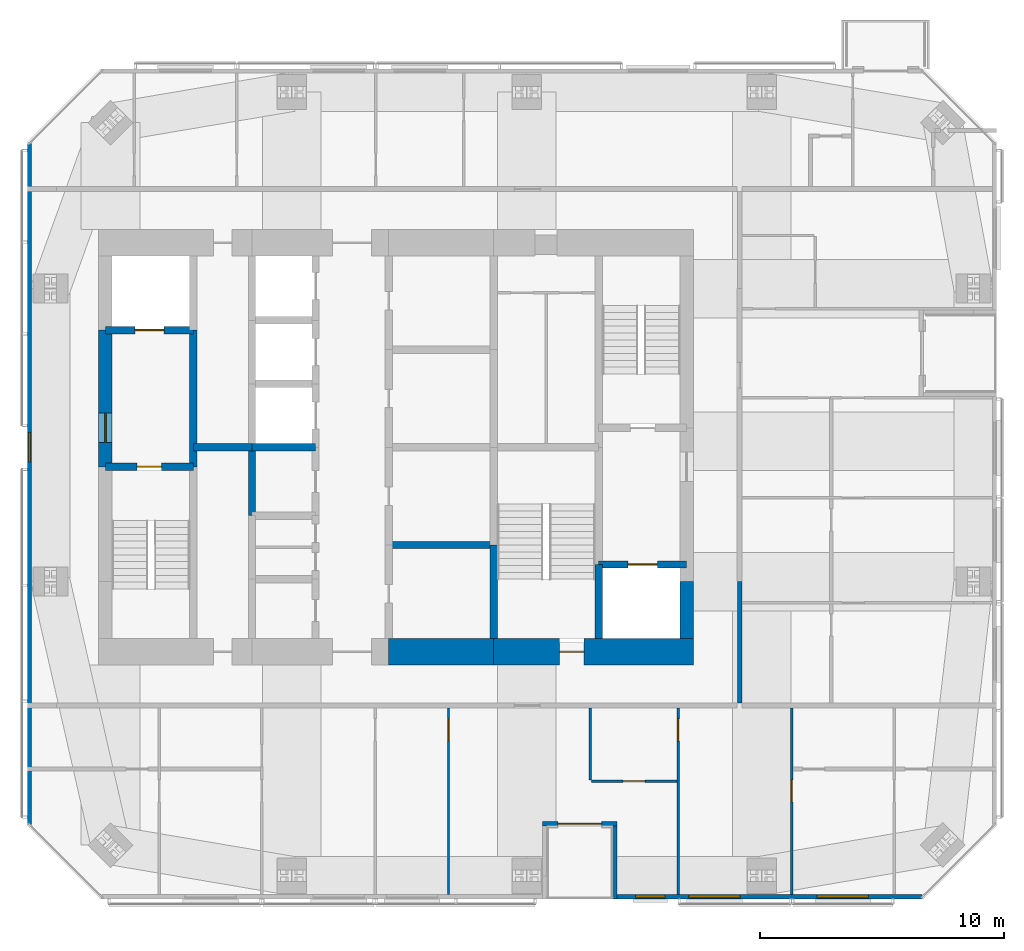
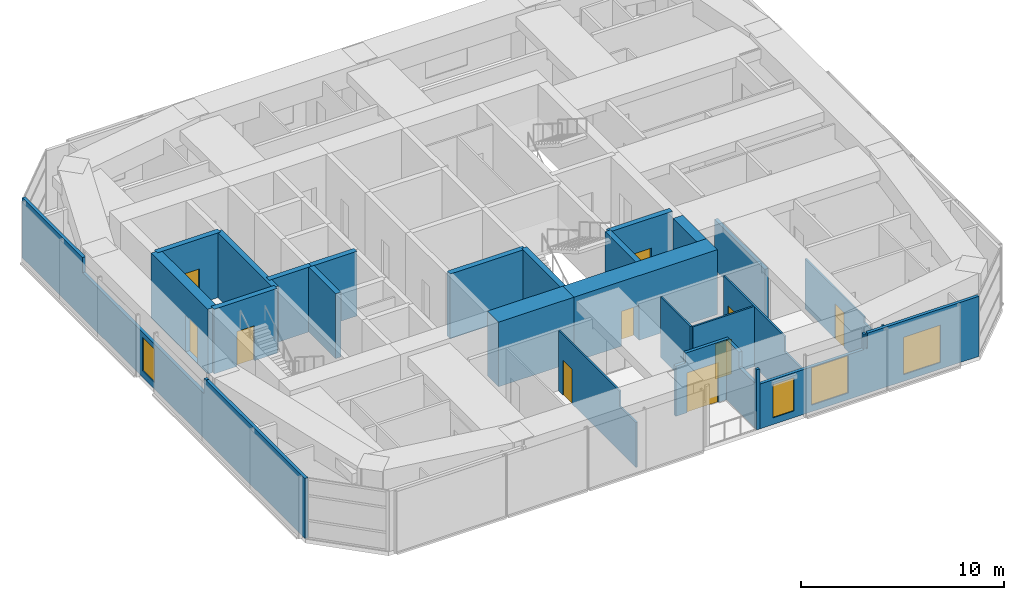
# One storey, part 15 of 20: 24 walls, 10 doors, 4 windows, 14 openings.
"""IFC4 building model written with IfcOpenShell, lengths in metres."""

import ifcopenshell
import ifcopenshell.guid

model = None  # the IFC model being written
_history = None  # IfcOwnerHistory: only IFC2X3 demands one
_inside = {}  # id of a spatial element -> (the spatial element, [elements in it])
_under = {}  # id of a project, library or spatial element -> (it, [spatial elements below it])
_declared = {}  # id of a project -> (the project, [libraries it declares])
_typed = {}  # id of a type object -> (the type object, [elements of that type])
_made_of = {}  # id of a material, layer set ... -> (it, [elements and type objects made of it])


def new_model(schema):
    """Start an empty IFC model of exactly this schema.

    Asked for "IFC4X3", IfcOpenShell would pick the latest addendum, in which some entities
    have other attributes; the version numbers below select the first issue.
    IFC2X3 requires an IfcOwnerHistory on every rooted entity: one is made here for all.
    """
    global model, _history
    if schema == "IFC4X3":
        model = ifcopenshell.file(schema_version=(4, 3, 0, 0))
    else:
        model = ifcopenshell.file(schema=schema)
    _inside.clear()
    _under.clear()
    _declared.clear()
    _typed.clear()
    _made_of.clear()
    _history = None
    if model.schema == "IFC2X3":
        org = make("IfcOrganization", Name="unknown")
        user = make(
            "IfcPersonAndOrganization",
            ThePerson=make("IfcPerson", FamilyName="unknown"),
            TheOrganization=org,
        )
        app = make(
            "IfcApplication",
            ApplicationDeveloper=org,
            Version="unknown",
            ApplicationFullName="unknown",
            ApplicationIdentifier="unknown",
        )
        _history = make(
            "IfcOwnerHistory",
            OwningUser=user,
            OwningApplication=app,
            ChangeAction="ADDED",
            CreationDate=0,
        )
    return model


def make(cls, **values):
    """One entity of the class cls with the attributes given. An attribute that is None is left unset."""
    return model.create_entity(
        cls, **{name: value for name, value in values.items() if value is not None}
    )


def rooted(cls, **values):
    """An entity with a GlobalId (a new one), such as an element, a storey or a relation."""
    return make(cls, GlobalId=ifcopenshell.guid.new(), OwnerHistory=_history, **values)


def si_unit(unit_type, name, prefix=None):
    """IfcSIUnit, for example si_unit("LENGTHUNIT", "METRE", prefix="MILLI")."""
    return make("IfcSIUnit", UnitType=unit_type, Prefix=prefix, Name=name)


def assignment(units):
    """IfcUnitAssignment: the units of a project."""
    return None if units is None else make("IfcUnitAssignment", Units=units)


def point(xyz):
    """IfcCartesianPoint."""
    return None if xyz is None else make("IfcCartesianPoint", Coordinates=xyz)


def direction(xyz):
    """IfcDirection."""
    return None if xyz is None else make("IfcDirection", DirectionRatios=xyz)


def frame(location, z_axis=None, x_axis=None):
    """IfcAxis2Placement3D, a coordinate frame: its origin and axes. An axis left out is left unset."""
    return make(
        "IfcAxis2Placement3D",
        Location=point(location),
        Axis=direction(z_axis),
        RefDirection=direction(x_axis),
    )


def frame_2d(location, x_axis=None):
    """IfcAxis2Placement2D, a coordinate frame in the plane: its origin and x axis."""
    return make(
        "IfcAxis2Placement2D", Location=point(location), RefDirection=direction(x_axis)
    )


def origin():
    """The frame at (0, 0, 0) with its axes left unset."""
    return frame((0.0, 0.0, 0.0))


def place(relative_to, where):
    """IfcLocalPlacement: puts the frame where relative to a parent placement (None: the world)."""
    return make(
        "IfcLocalPlacement", PlacementRelTo=relative_to, RelativePlacement=where
    )


def context(
    kind, dimensions, precision=None, world=None, true_north=None, identifier=None
):
    """IfcGeometricRepresentationContext, for example the 3D "Model" context."""
    return make(
        "IfcGeometricRepresentationContext",
        ContextIdentifier=identifier,
        ContextType=kind,
        CoordinateSpaceDimension=dimensions,
        Precision=precision,
        WorldCoordinateSystem=world,
        TrueNorth=true_north,
    )


def subcontext(parent, identifier, kind, view, scale=None):
    """IfcGeometricRepresentationSubContext, for example "Body" below "Model"."""
    return make(
        "IfcGeometricRepresentationSubContext",
        ContextIdentifier=identifier,
        ContextType=kind,
        ParentContext=parent,
        TargetScale=scale,
        TargetView=view,
    )


def project(units=None, contexts=None):
    """IfcProject with its units and contexts."""
    return rooted(
        "IfcProject",
        Name="project",
        RepresentationContexts=contexts,
        UnitsInContext=assignment(units),
    )


def spatial(cls, under=None, at=None, **own):
    """A site, building, storey or space (cls), placed at a placement, below another one or the project."""
    s = rooted(cls, ObjectPlacement=at, **own)
    if under is not None:
        _under.setdefault(under.id(), (under, []))[1].append(s)
    return s


def polyline(points):
    """IfcPolyline through the points."""
    return make("IfcPolyline", Points=[point(p) for p in points])


def profile(cls, at=None, kind="AREA", **sizes):
    """A parametric profile (cls). Its sizes go by their IFC names, for example OverallWidth=200.0."""
    return make(cls, ProfileType=kind, Position=at, **sizes)


def rectangle(**sizes):
    """IfcRectangleProfileDef."""
    return profile("IfcRectangleProfileDef", **sizes)


def outline(outer, holes=None, kind="AREA"):
    """IfcArbitraryClosedProfileDef: a profile drawn as a closed curve; with holes, ...WithVoids."""
    if holes is None:
        return make("IfcArbitraryClosedProfileDef", ProfileType=kind, OuterCurve=outer)
    return make(
        "IfcArbitraryProfileDefWithVoids",
        ProfileType=kind,
        OuterCurve=outer,
        InnerCurves=holes,
    )


def extrude(swept, where, along, depth):
    """IfcExtrudedAreaSolid: the profile swept, set in the frame where, extruded along a direction by depth."""
    return make(
        "IfcExtrudedAreaSolid",
        SweptArea=swept,
        Position=where,
        ExtrudedDirection=direction(along),
        Depth=depth,
    )


def shape(context_of_items, identifier, shape_type, items):
    """IfcShapeRepresentation: the items that make up one representation, for example the "Body"."""
    return make(
        "IfcShapeRepresentation",
        ContextOfItems=context_of_items,
        RepresentationIdentifier=identifier,
        RepresentationType=shape_type,
        Items=items,
    )


def material(Name=None, Category=None):
    """IfcMaterial."""
    return make("IfcMaterial", Name=Name, Category=Category)


def layer(
    of_material, thickness, ventilated=None, Name=None, Category=None, Priority=None
):
    """IfcMaterialLayer: one layer of a wall or slab, of a material (None: an air gap)."""
    return make(
        "IfcMaterialLayer",
        Material=of_material,
        LayerThickness=thickness,
        IsVentilated=ventilated,
        Name=Name,
        Category=Category,
        Priority=Priority,
    )


def layer_set(layers, Name=None):
    """IfcMaterialLayerSet."""
    return make("IfcMaterialLayerSet", MaterialLayers=layers, LayerSetName=Name)


def constituent(of_material, Name=None, Category=None, fraction=None):
    """IfcMaterialConstituent: one of the materials an element consists of."""
    return make(
        "IfcMaterialConstituent",
        Name=Name,
        Material=of_material,
        Fraction=fraction,
        Category=Category,
    )


def constituent_set(constituents=None, Name=None):
    """IfcMaterialConstituentSet."""
    return make(
        "IfcMaterialConstituentSet", Name=Name, MaterialConstituents=constituents
    )


def made_of(thing, what):
    """Note that an element or type object is made of a material, layer set ...; save() writes the relation."""
    if what is not None:
        _made_of.setdefault(what.id(), (what, []))[1].append(thing)
    return thing


def type_object(cls, material=None, **own):
    """A type object (cls), such as IfcWallType, which elements share."""
    return made_of(rooted(cls, **own), material)


def element(
    cls,
    number,
    at=None,
    inside=None,
    cuts=None,
    type_object=None,
    material=None,
    context=None,
    identifier="Body",
    shape_type=None,
    held_by="IfcProductDefinitionShape",
    body=None,
    shapes=None,
    **own,
):
    """One element of the class cls, such as IfcWall. Its Tag is "e" and its number.

    at: its placement. inside: the storey or other place that contains it. cuts: it is an
    opening in that element (IfcRelVoidsElement). A single representation is given by context,
    identifier, shape_type and body (its items); several are given by shapes. held_by: the class
    of the entity that holds the representations. save() writes the other relations.
    """
    e = rooted(cls, Tag="e%d" % number, ObjectPlacement=at, **own)
    if body is not None:
        shapes = [shape(context, identifier, shape_type, body)]
    if shapes is not None:
        e.Representation = make(held_by, Representations=shapes)
    if inside is not None:
        _inside.setdefault(inside.id(), (inside, []))[1].append(e)
    if cuts is not None:
        rooted(
            "IfcRelVoidsElement", RelatingBuildingElement=cuts, RelatedOpeningElement=e
        )
    if type_object is not None:
        _typed.setdefault(type_object.id(), (type_object, []))[1].append(e)
    return made_of(e, material)


def fill(opening, filler):
    """IfcRelFillsElement: the door or window that sits in an opening."""
    return rooted(
        "IfcRelFillsElement",
        RelatingOpeningElement=opening,
        RelatedBuildingElement=filler,
    )


def aggregate(whole, parts):
    """IfcRelAggregates: a whole, such as a stair, and the parts it consists of."""
    return rooted("IfcRelAggregates", RelatingObject=whole, RelatedObjects=parts)


def save(model, path):
    """Write the relations noted so far, then the file.

    IfcRelAggregates (storeys below a building ...), IfcRelContainedInSpatialStructure (elements
    in a storey), IfcRelDefinesByType, IfcRelAssociatesMaterial and IfcRelDeclares: one each for
    every whole, place, type object, material and project.
    """
    for whole, parts in _under.values():
        aggregate(whole, parts)
    for where, things in _inside.values():
        rooted(
            "IfcRelContainedInSpatialStructure",
            RelatedElements=things,
            RelatingStructure=where,
        )
    for kind, things in _typed.values():
        rooted("IfcRelDefinesByType", RelatedObjects=things, RelatingType=kind)
    for what, things in _made_of.values():
        rooted("IfcRelAssociatesMaterial", RelatedObjects=things, RelatingMaterial=what)
    for by, libraries in _declared.values():
        rooted("IfcRelDeclares", RelatingContext=by, RelatedDefinitions=libraries)
    model.write(path)


model = new_model("IFC4")

# Units and contexts
model_context = context("Model", 3, precision=1e-05, world=origin(), true_north=direction((0.0, 1.0)))
body_context = subcontext(model_context, "Body", "Model", "MODEL_VIEW")
ifc_project = project(units=[si_unit("LENGTHUNIT", "METRE"), si_unit("AREAUNIT", "SQUARE_METRE"), si_unit("VOLUMEUNIT", "CUBIC_METRE"), si_unit("PLANEANGLEUNIT", "RADIAN"), si_unit("MASSUNIT", "GRAM", prefix="KILO")], contexts=[model_context])

# Site, building, storey
site_placement = place(None, origin())
site = spatial("IfcSite", under=ifc_project, at=site_placement, CompositionType="ELEMENT")
building_placement = place(site_placement, origin())
building = spatial("IfcBuilding", under=site, at=building_placement, Name="Jalousie Tower", CompositionType="ELEMENT")
storey_placement = place(building_placement, frame((0.0, 0.0, 263.85009765625)))
storey = spatial("IfcBuildingStorey", under=building, at=storey_placement, Name="L72", CompositionType="ELEMENT", Elevation=263.85009765625)

# Wall
ifc_material_1 = material(Name="Concrete f'c 120 MPa", Category="concrete")
ifc_layer_1 = layer(ifc_material_1, 1.10009765625)
ifc_layer_set_1 = layer_set([ifc_layer_1], Name="Concrete f'c 120 MPa")
wall_type_1 = type_object("IfcWallType", Name="CORE WALL 1100", PredefinedType="SHEAR", material=ifc_layer_set_1)
wall_1_placement = place(storey_placement, frame((31.60009765625, 10.125, 0.0), z_axis=(0.0, 0.0, 1.0), x_axis=(1.0, 0.0, 0.0)))
element("IfcWall", 1, at=wall_1_placement, inside=storey, type_object=wall_type_1, Name="Core wall SC L72", PredefinedType="SHEAR", context=body_context, shape_type="SweptSolid", body=[
    extrude(rectangle(XDim=4.2998046875, YDim=1.10009765625, at=frame_2d((2.14990234375, 0.0))), origin(), (0.0, 0.0, 1.0), 3.89990234375),
])

# Wall, opening, door
wall_2_placement = place(storey_placement, frame((35.89990234375, 10.125, 0.0), z_axis=(0.0, 0.0, 1.0), x_axis=(1.0, 0.0, 0.0)))
wall_2 = element("IfcWall", 2, at=wall_2_placement, inside=storey, type_object=wall_type_1, Name="Core wall SD L72", PredefinedType="SHEAR", context=body_context, shape_type="SweptSolid", body=[
    extrude(rectangle(XDim=8.175048828125, YDim=1.10009765625, at=frame_2d((4.08740234375, 0.0))), origin(), (0.0, 0.0, 1.0), 3.89990234375),
])
opening_1_placement = place(wall_2_placement, frame((2.699951171875, 0.0, 0.0)))
opening_1 = element("IfcOpeningElement", 3, at=opening_1_placement, cuts=wall_2, Name="Opening D10", PredefinedType="OPENING", context=body_context, shape_type="SweptSolid", body=[
    extrude(rectangle(XDim=1.0, YDim=2.10009765625, at=frame_2d((0.5, 1.050048828125))), frame((0.0, 0.56005859375, 0.0), z_axis=(0.0, -1.0, 0.0), x_axis=(1.0, 0.0, 0.0)), (0.0, 0.0, 1.0), 1.1201171875),
])
ifc_material_2 = material(Name="Steel fire door", Category="steel")
door_type_1 = type_object("IfcDoorType", Name="STAIR DOOR 1000", OperationType="SINGLE_SWING_LEFT", PredefinedType="DOOR", material=ifc_material_2)
door_1_placement = place(opening_1_placement, origin())
door_1 = element("IfcDoor", 4, at=door_1_placement, inside=storey, type_object=door_type_1, Name="Exit stair C door", OperationType="SINGLE_SWING_RIGHT", OverallHeight=2.10009765625, OverallWidth=1.0, PredefinedType="DOOR", context=body_context, shape_type="SweptSolid", body=[
    extrude(rectangle(XDim=1.0, YDim=2.10009765625, at=frame_2d((0.5, 1.050048828125))), frame((0.0, 0.02490234375, 0.0), z_axis=(0.0, -1.0, 0.0), x_axis=(1.0, 0.0, 0.0)), (0.0, 0.0, 1.0), 0.050048828125),
])
fill(opening_1, door_1)

# Walls
ifc_material_3 = material(Name="Concrete f'c 120 MPa", Category="concrete")
ifc_layer_2 = layer(ifc_material_3, 0.300048828125)
ifc_layer_set_2 = layer_set([ifc_layer_2], Name="Concrete f'c 120 MPa")
wall_type_2 = type_object("IfcWallType", Name="CORE WALL 300", PredefinedType="SHEAR", material=ifc_layer_set_2)
wall_3_placement = place(storey_placement, frame((23.60009765625, 17.699951171875, 0.0), z_axis=(0.0, 0.0, 1.0), x_axis=(0.0, 1.0, 0.0)))
element("IfcWall", 5, at=wall_3_placement, inside=storey, type_object=wall_type_2, Name="Core wall X23.6B L72", PredefinedType="SHEAR", context=body_context, shape_type="SweptSolid", body=[
    extrude(rectangle(XDim=5.60009765625, YDim=0.300048828125, at=frame_2d((2.800048828125, 0.0))), origin(), (0.0, 0.0, 1.0), 3.89990234375),
])
wall_4_placement = place(storey_placement, frame((26.0, 15.699951171875, 0.0), z_axis=(0.0, 0.0, 1.0), x_axis=(0.0, 1.0, 0.0)))
element("IfcWall", 6, at=wall_4_placement, inside=storey, type_object=wall_type_2, Name="Core wall X26C L72", PredefinedType="SHEAR", context=body_context, shape_type="SweptSolid", body=[
    extrude(rectangle(XDim=2.800048828125, YDim=0.300048828125, at=frame_2d((1.39990234375, 0.0))), origin(), (0.0, 0.0, 1.0), 3.89990234375),
])
wall_5_placement = place(storey_placement, frame((35.89990234375, 10.675048828125, 0.0), z_axis=(0.0, 0.0, 1.0), x_axis=(0.0, 1.0, 0.0)))
element("IfcWall", 7, at=wall_5_placement, inside=storey, type_object=wall_type_2, Name="Core wall X35.9A L72", PredefinedType="SHEAR", context=body_context, shape_type="SweptSolid", body=[
    extrude(rectangle(XDim=3.824951171875, YDim=0.300048828125, at=frame_2d((1.91259765625, 0.0))), origin(), (0.0, 0.0, 1.0), 3.89990234375),
])
wall_6_placement = place(storey_placement, frame((40.199951171875, 10.675048828125, 0.0), z_axis=(0.0, 0.0, 1.0), x_axis=(0.0, 1.0, 0.0)))
element("IfcWall", 8, at=wall_6_placement, inside=storey, type_object=wall_type_2, Name="Core wall X40.2A L72", PredefinedType="SHEAR", context=body_context, shape_type="SweptSolid", body=[
    extrude(rectangle(XDim=3.02490234375, YDim=0.300048828125, at=frame_2d((1.512451171875, 0.0))), origin(), (0.0, 0.0, 1.0), 3.89990234375),
])

# Wall, opening, door
wall_7_placement = place(storey_placement, frame((20.0, 17.699951171875, 0.0), z_axis=(0.0, 0.0, 1.0), x_axis=(1.0, 0.0, 0.0)))
wall_7 = element("IfcWall", 9, at=wall_7_placement, inside=storey, type_object=wall_type_2, Name="Core wall Y20-17.7 L72", PredefinedType="SHEAR", context=body_context, shape_type="SweptSolid", body=[
    extrude(rectangle(XDim=3.60009765625, YDim=0.300048828125, at=frame_2d((1.800048828125, 0.0))), origin(), (0.0, 0.0, 1.0), 3.89990234375),
])
opening_2_placement = place(wall_7_placement, frame((1.300048828125, 0.0, 0.0)))
opening_2 = element("IfcOpeningElement", 10, at=opening_2_placement, cuts=wall_7, Name="Opening D10", PredefinedType="OPENING", context=body_context, shape_type="SweptSolid", body=[
    extrude(rectangle(XDim=1.0, YDim=2.10009765625, at=frame_2d((0.5, 1.050048828125))), frame((0.0, 0.159912109375, 0.0), z_axis=(0.0, -1.0, 0.0), x_axis=(1.0, 0.0, 0.0)), (0.0, 0.0, 1.0), 0.320068359375),
])
door_2_placement = place(opening_2_placement, frame((1.0, 0.0, 0.0), z_axis=(0.0, 0.0, 1.0), x_axis=(-1.0, 0.0, 0.0)))
door_2 = element("IfcDoor", 11, at=door_2_placement, inside=storey, type_object=door_type_1, Name="Exit stair A door", OperationType="SINGLE_SWING_RIGHT", OverallHeight=2.10009765625, OverallWidth=1.0, PredefinedType="DOOR", context=body_context, shape_type="SweptSolid", body=[
    extrude(rectangle(XDim=1.0, YDim=2.10009765625, at=frame_2d((0.5, 1.050048828125))), frame((0.0, 0.02490234375, 0.0), z_axis=(0.0, -1.0, 0.0), x_axis=(1.0, 0.0, 0.0)), (0.0, 0.0, 1.0), 0.050048828125),
])
fill(opening_2, door_2)

wall_8_placement = place(storey_placement, frame((20.0, 23.300048828125, 0.0), z_axis=(0.0, 0.0, 1.0), x_axis=(1.0, 0.0, 0.0)))
wall_8 = element("IfcWall", 12, at=wall_8_placement, inside=storey, type_object=wall_type_2, Name="Core wall Y20-23.3 L72", PredefinedType="SHEAR", context=body_context, shape_type="SweptSolid", body=[
    extrude(rectangle(XDim=3.60009765625, YDim=0.300048828125, at=frame_2d((1.800048828125, 0.0))), origin(), (0.0, 0.0, 1.0), 3.89990234375),
])
opening_3_placement = place(wall_8_placement, frame((1.199951171875, 0.0, 0.0)))
opening_3 = element("IfcOpeningElement", 13, at=opening_3_placement, cuts=wall_8, Name="Opening LD2", PredefinedType="OPENING", context=body_context, shape_type="SweptSolid", body=[
    extrude(rectangle(XDim=1.199951171875, YDim=2.10009765625, at=frame_2d((0.60009765625, 1.050048828125))), frame((0.0, 0.159912109375, 0.0), z_axis=(0.0, -1.0, 0.0), x_axis=(1.0, 0.0, 0.0)), (0.0, 0.0, 1.0), 0.320068359375),
])
ifc_material_4 = material(Name="Steel lift landing door", Category="steel")
door_type_2 = type_object("IfcDoorType", Name="LIFT LANDING DOOR 1200", OperationType="SLIDING_TO_LEFT", PredefinedType="DOOR", material=ifc_material_4)
door_3_placement = place(opening_3_placement, origin())
door_3 = element("IfcDoor", 14, at=door_3_placement, inside=storey, type_object=door_type_2, Name="Lift F1 landing door", OperationType="SLIDING_TO_LEFT", OverallHeight=2.10009765625, OverallWidth=1.199951171875, PredefinedType="DOOR", context=body_context, shape_type="SweptSolid", body=[
    extrude(rectangle(XDim=1.199951171875, YDim=2.10009765625, at=frame_2d((0.60009765625, 1.050048828125))), frame((0.0, 0.02490234375, 0.0), z_axis=(0.0, -1.0, 0.0), x_axis=(1.0, 0.0, 0.0)), (0.0, 0.0, 1.0), 0.050048828125),
])
fill(opening_3, door_3)

# Walls
wall_9_placement = place(storey_placement, frame((23.60009765625, 18.5, 0.0), z_axis=(0.0, 0.0, 1.0), x_axis=(1.0, 0.0, 0.0)))
element("IfcWall", 15, at=wall_9_placement, inside=storey, type_object=wall_type_2, Name="Core wall Y23.6-18.5 L72", PredefinedType="SHEAR", context=body_context, shape_type="SweptSolid", body=[
    extrude(rectangle(XDim=2.39990234375, YDim=0.300048828125, at=frame_2d((1.199951171875, 0.0))), origin(), (0.0, 0.0, 1.0), 3.89990234375),
])
wall_10_placement = place(storey_placement, frame((26.0, 18.5, 0.0), z_axis=(0.0, 0.0, 1.0), x_axis=(1.0, 0.0, 0.0)))
element("IfcWall", 16, at=wall_10_placement, inside=storey, type_object=wall_type_2, Name="Core wall Y26-18.5 L72", PredefinedType="SHEAR", context=body_context, shape_type="SweptSolid", body=[
    extrude(rectangle(XDim=2.60009765625, YDim=0.300048828125, at=frame_2d((1.300048828125, 0.0))), origin(), (0.0, 0.0, 1.0), 3.89990234375),
])
wall_11_placement = place(storey_placement, frame((31.60009765625, 14.5, 0.0), z_axis=(0.0, 0.0, 1.0), x_axis=(1.0, 0.0, 0.0)))
element("IfcWall", 17, at=wall_11_placement, inside=storey, type_object=wall_type_2, Name="Core wall Y31.6-14.5 L72", PredefinedType="SHEAR", context=body_context, shape_type="SweptSolid", body=[
    extrude(rectangle(XDim=4.2998046875, YDim=0.300048828125, at=frame_2d((2.14990234375, 0.0))), origin(), (0.0, 0.0, 1.0), 3.89990234375),
])

# Wall, opening, door
wall_12_placement = place(storey_placement, frame((40.199951171875, 13.699951171875, 0.0), z_axis=(0.0, 0.0, 1.0), x_axis=(1.0, 0.0, 0.0)))
wall_12 = element("IfcWall", 18, at=wall_12_placement, inside=storey, type_object=wall_type_2, Name="Core wall Y40.2-13.7 L72", PredefinedType="SHEAR", context=body_context, shape_type="SweptSolid", body=[
    extrude(rectangle(XDim=3.60009765625, YDim=0.300048828125, at=frame_2d((1.800048828125, 0.0))), origin(), (0.0, 0.0, 1.0), 3.89990234375),
])
opening_4_placement = place(wall_12_placement, frame((1.199951171875, 0.0, 0.0)))
opening_4 = element("IfcOpeningElement", 19, at=opening_4_placement, cuts=wall_12, Name="Opening LD2", PredefinedType="OPENING", context=body_context, shape_type="SweptSolid", body=[
    extrude(rectangle(XDim=1.199951171875, YDim=2.10009765625, at=frame_2d((0.60009765625, 1.050048828125))), frame((0.0, 0.159912109375, 0.0), z_axis=(0.0, -1.0, 0.0), x_axis=(1.0, 0.0, 0.0)), (0.0, 0.0, 1.0), 0.320068359375),
])
door_4_placement = place(opening_4_placement, origin())
door_4 = element("IfcDoor", 20, at=door_4_placement, inside=storey, type_object=door_type_2, Name="Lift F2 landing door", OperationType="SLIDING_TO_LEFT", OverallHeight=2.10009765625, OverallWidth=1.199951171875, PredefinedType="DOOR", context=body_context, shape_type="SweptSolid", body=[
    extrude(rectangle(XDim=1.199951171875, YDim=2.10009765625, at=frame_2d((0.60009765625, 1.050048828125))), frame((0.0, 0.02490234375, 0.0), z_axis=(0.0, -1.0, 0.0), x_axis=(1.0, 0.0, 0.0)), (0.0, 0.0, 1.0), 0.050048828125),
])
fill(opening_4, door_4)

ifc_material_5 = material(Name="Concrete f'c 120 MPa", Category="concrete")
ifc_layer_3 = layer(ifc_material_5, 0.550048828125)
ifc_layer_set_3 = layer_set([ifc_layer_3], Name="Concrete f'c 120 MPa")
wall_type_3 = type_object("IfcWallType", Name="CORE WALL 550", PredefinedType="SHEAR", material=ifc_layer_set_3)
wall_13_placement = place(storey_placement, frame((20.0, 23.300048828125, 0.0), z_axis=(0.0, 0.0, 1.0), x_axis=(0.0, -1.0, 0.0)))
wall_13 = element("IfcWall", 21, at=wall_13_placement, inside=storey, type_object=wall_type_3, Name="Core wall WB L72", PredefinedType="SHEAR", context=body_context, shape_type="SweptSolid", body=[
    extrude(rectangle(XDim=5.60009765625, YDim=0.550048828125, at=frame_2d((2.800048828125, 0.0))), origin(), (0.0, 0.0, 1.0), 3.89990234375),
])
opening_5_placement = place(wall_13_placement, frame((3.39990234375, 0.0, 0.0)))
opening_5 = element("IfcOpeningElement", 22, at=opening_5_placement, cuts=wall_13, Name="Opening D11", PredefinedType="OPENING", context=body_context, shape_type="SweptSolid", body=[
    extrude(rectangle(XDim=1.199951171875, YDim=2.199951171875, at=frame_2d((0.60009765625, 1.10009765625))), frame((0.0, 0.284912109375, 0.0), z_axis=(0.0, -1.0, 0.0), x_axis=(1.0, 0.0, 0.0)), (0.0, 0.0, 1.0), 0.570068359375),
])
ifc_material_6 = material(Name="Steel fire door", Category="steel")
door_type_3 = type_object("IfcDoorType", Name="FIRE DOOR 1200", OperationType="SINGLE_SWING_LEFT", PredefinedType="DOOR", material=ifc_material_6)
door_5_placement = place(opening_5_placement, origin())
door_5 = element("IfcDoor", 23, at=door_5_placement, inside=storey, type_object=door_type_3, Name="Fire-fighting lobby A door", OperationType="SINGLE_SWING_RIGHT", OverallHeight=2.199951171875, OverallWidth=1.199951171875, PredefinedType="DOOR", context=body_context, shape_type="SweptSolid", body=[
    extrude(rectangle(XDim=1.199951171875, YDim=2.199951171875, at=frame_2d((0.60009765625, 1.10009765625))), frame((0.0, 0.02490234375, 0.0), z_axis=(0.0, -1.0, 0.0), x_axis=(1.0, 0.0, 0.0)), (0.0, 0.0, 1.0), 0.050048828125),
])
fill(opening_5, door_5)

# Walls
wall_14_placement = place(storey_placement, frame((43.800048828125, 10.675048828125, 0.0), z_axis=(0.0, 0.0, 1.0), x_axis=(0.0, 1.0, 0.0)))
element("IfcWall", 24, at=wall_14_placement, inside=storey, type_object=wall_type_3, Name="Core wall EA L72", PredefinedType="SHEAR", context=body_context, shape_type="SweptSolid", body=[
    extrude(rectangle(XDim=2.324951171875, YDim=0.550048828125, at=frame_2d((1.16259765625, 0.0))), origin(), (0.0, 0.0, 1.0), 3.89990234375),
])
ifc_material_7 = material(Name="Concrete block ASTM C90", Category="concrete")
ifc_constituent_1 = constituent(ifc_material_7, Name="Body")
ifc_material_8 = material(Name="Render")
ifc_constituent_2 = constituent(ifc_material_8, Name="Finish")
ifc_constituent_set_1 = constituent_set(constituents=[ifc_constituent_1, ifc_constituent_2])
wall_type_4 = type_object("IfcWallType", Name="CORRIDOR WALL 200", PredefinedType="PARTITIONING", material=ifc_constituent_set_1)
wall_15_placement = place(storey_placement, frame((45.97509765625, 8.02490234375, 0.0), z_axis=(0.0, 0.0, 1.0), x_axis=(0.0, 1.0, 0.0)))
element("IfcWall", 25, at=wall_15_placement, inside=storey, type_object=wall_type_4, Name="Corridor Wall 200 L72-A", PredefinedType="PARTITIONING", context=body_context, shape_type="SweptSolid", body=[
    extrude(rectangle(XDim=4.97509765625, YDim=0.199951171875, at=frame_2d((2.487548828125, 0.0))), origin(), (0.0, 0.0, 1.0), 3.02001953125),
])

# Wall, openings, windows
ifc_material_9 = material(Name="Concrete f'c 40 MPa", Category="concrete")
ifc_constituent_3 = constituent(ifc_material_9, Name="Body")
ifc_material_10 = material(Name="Render, pastel sky blue")
ifc_constituent_4 = constituent(ifc_material_10, Name="Finish")
ifc_constituent_set_2 = constituent_set(constituents=[ifc_constituent_3, ifc_constituent_4])
wall_type_5 = type_object("IfcWallType", Name="EXTERNAL WALL 175 SKY BLUE RENDER", PredefinedType="SOLIDWALL", material=ifc_constituent_set_2)
wall_16_placement = place(storey_placement, frame((40.949951171875, 0.08740234375, 0.0), z_axis=(0.0, 0.0, 1.0), x_axis=(1.0, 0.0, 0.0)))
wall_16 = element("IfcWall", 26, at=wall_16_placement, inside=storey, type_object=wall_type_5, Name="External Wall 175 Sky Blue Render L72", PredefinedType="SOLIDWALL", context=body_context, shape_type="SweptSolid", body=[
    extrude(outline(polyline([(0.0, 0.0), (12.498779296875, 0.0), (12.498779296875, 3.619873046875), (6.139892578125, 3.619873046875), (6.139892578125, 2.699951171875), (6.056396484375, 2.699951171875), (6.056396484375, 3.619873046875), (5.925048828125, 3.619873046875), (5.925048828125, 2.699951171875), (0.0, 2.699951171875), (0.0, 0.0)])), frame((0.0, 0.08740234375, 0.0), z_axis=(0.0, -1.0, 0.0), x_axis=(1.0, 0.0, 0.0)), (0.0, 0.0, 1.0), 0.175048828125),
])
opening_6_placement = place(wall_16_placement, frame((0.76123046875, 0.0, 0.39990234375)))
opening_6 = element("IfcOpeningElement", 27, at=opening_6_placement, cuts=wall_16, Name="Opening W-COR", PredefinedType="OPENING", context=body_context, shape_type="SweptSolid", body=[
    extrude(rectangle(XDim=1.199951171875, YDim=2.0, at=frame_2d((0.60009765625, 1.0))), frame((0.0, 0.097412109375, 0.0), z_axis=(0.0, -1.0, 0.0), x_axis=(1.0, 0.0, 0.0)), (0.0, 0.0, 1.0), 0.195068359375),
])
opening_7_placement = place(wall_16_placement, frame((2.94384765625, 0.0, 0.39990234375)))
opening_7 = element("IfcOpeningElement", 28, at=opening_7_placement, cuts=wall_16, Name="Opening W-BEDPH225", PredefinedType="OPENING", context=body_context, shape_type="SweptSolid", body=[
    extrude(rectangle(XDim=2.10009765625, YDim=2.25, at=frame_2d((1.050048828125, 1.125))), frame((0.0, 0.097412109375, 0.0), z_axis=(0.0, -1.0, 0.0), x_axis=(1.0, 0.0, 0.0)), (0.0, 0.0, 1.0), 0.195068359375),
])
opening_8_placement = place(wall_16_placement, frame((8.199951171875, 0.0, 0.39990234375)))
opening_8 = element("IfcOpeningElement", 29, at=opening_8_placement, cuts=wall_16, Name="Opening W-BEDPH225", PredefinedType="OPENING", context=body_context, shape_type="SweptSolid", body=[
    extrude(rectangle(XDim=2.10009765625, YDim=2.25, at=frame_2d((1.050048828125, 1.125))), frame((0.0, 0.097412109375, 0.0), z_axis=(0.0, -1.0, 0.0), x_axis=(1.0, 0.0, 0.0)), (0.0, 0.0, 1.0), 0.195068359375),
])
ifc_material_11 = material(Name="Aluminium frame, impact-rated glazing", Category="aluminium")
window_type_1 = type_object("IfcWindowType", Name="WINDOW BEDPH 2100x2250", PartitioningType="DOUBLE_PANEL_VERTICAL", PredefinedType="WINDOW", material=ifc_material_11)
window_1_placement = place(opening_7_placement, origin())
window_1 = element("IfcWindow", 30, at=window_1_placement, inside=storey, type_object=window_type_1, Name="Apartment 7201 snug window", OverallHeight=2.25, OverallWidth=2.10009765625, PartitioningType="SINGLE_PANEL", PredefinedType="WINDOW", context=body_context, shape_type="SweptSolid", body=[
    extrude(rectangle(XDim=2.10009765625, YDim=2.25, at=frame_2d((1.050048828125, 1.125))), frame((0.0, 0.030029296875, 0.0), z_axis=(0.0, -1.0, 0.0), x_axis=(1.0, 0.0, 0.0)), (0.0, 0.0, 1.0), 0.06005859375),
])
fill(opening_7, window_1)
window_2_placement = place(opening_8_placement, origin())
window_2 = element("IfcWindow", 31, at=window_2_placement, inside=storey, type_object=window_type_1, Name="Apartment 7201 bedroom 3 window", OverallHeight=2.25, OverallWidth=2.10009765625, PartitioningType="SINGLE_PANEL", PredefinedType="WINDOW", context=body_context, shape_type="SweptSolid", body=[
    extrude(rectangle(XDim=2.10009765625, YDim=2.25, at=frame_2d((1.050048828125, 1.125))), frame((0.0, 0.030029296875, 0.0), z_axis=(0.0, -1.0, 0.0), x_axis=(1.0, 0.0, 0.0)), (0.0, 0.0, 1.0), 0.06005859375),
])
fill(opening_8, window_2)
ifc_material_12 = material(Name="Aluminium frame, impact-rated glazing", Category="aluminium")
window_type_2 = type_object("IfcWindowType", Name="WINDOW COR 1200x2000", PartitioningType="SINGLE_PANEL", PredefinedType="WINDOW", material=ifc_material_12)
window_3_placement = place(opening_6_placement, origin())
window_3 = element("IfcWindow", 32, at=window_3_placement, inside=storey, type_object=window_type_2, Name="Apartment 7201 living and dining room window", OverallHeight=2.0, OverallWidth=1.199951171875, PartitioningType="SINGLE_PANEL", PredefinedType="WINDOW", context=body_context, shape_type="SweptSolid", body=[
    extrude(rectangle(XDim=1.199951171875, YDim=2.0, at=frame_2d((0.60009765625, 1.0))), frame((0.0, 0.030029296875, 0.0), z_axis=(0.0, -1.0, 0.0), x_axis=(1.0, 0.0, 0.0)), (0.0, 0.0, 1.0), 0.06005859375),
])
fill(opening_6, window_3)

# Wall, opening, door
wall_17_placement = place(storey_placement, frame((37.89990234375, 3.08740234375, 0.0), z_axis=(0.0, 0.0, 1.0), x_axis=(1.0, 0.0, 0.0)))
wall_17 = element("IfcWall", 33, at=wall_17_placement, inside=storey, type_object=wall_type_5, Name="External Wall 175 Sky Blue Render L72", PredefinedType="SOLIDWALL", context=body_context, shape_type="SweptSolid", body=[
    extrude(outline(polyline([(0.0, 0.0), (3.050048828125, 0.0), (3.050048828125, 3.619873046875), (0.550048828125, 3.619873046875), (0.550048828125, 3.02001953125), (0.0, 3.02001953125), (0.0, 0.0)])), frame((0.0, 0.08740234375, 0.0), z_axis=(0.0, -1.0, 0.0), x_axis=(1.0, 0.0, 0.0)), (0.0, 0.0, 1.0), 0.175048828125),
])
opening_9_placement = place(wall_17_placement, frame((0.625, 0.0, 0.0)))
opening_9 = element("IfcOpeningElement", 34, at=opening_9_placement, cuts=wall_17, Name="Opening D-BAL", PredefinedType="OPENING", context=body_context, shape_type="SweptSolid", body=[
    extrude(rectangle(XDim=1.800048828125, YDim=2.39990234375, at=frame_2d((0.89990234375, 1.199951171875))), frame((0.0, 0.097412109375, 0.0), z_axis=(0.0, -1.0, 0.0), x_axis=(1.0, 0.0, 0.0)), (0.0, 0.0, 1.0), 0.195068359375),
])
ifc_material_13 = material(Name="Aluminium frame, impact-rated glazing", Category="aluminium")
door_type_4 = type_object("IfcDoorType", Name="BALCONY DOOR 1800x2400", OperationType="SLIDING_TO_LEFT", PredefinedType="DOOR", material=ifc_material_13)
door_6_placement = place(opening_9_placement, origin())
door_6 = element("IfcDoor", 35, at=door_6_placement, inside=storey, type_object=door_type_4, Name="Apartment 7201 living and dining room loggia door", OperationType="SLIDING_TO_LEFT", OverallHeight=2.39990234375, OverallWidth=1.800048828125, PredefinedType="DOOR", context=body_context, shape_type="SweptSolid", body=[
    extrude(rectangle(XDim=1.800048828125, YDim=2.39990234375, at=frame_2d((0.89990234375, 1.199951171875))), frame((0.0, 0.02490234375, 0.0), z_axis=(0.0, -1.0, 0.0), x_axis=(1.0, 0.0, 0.0)), (0.0, 0.0, 1.0), 0.050048828125),
])
fill(opening_9, door_6)

# Wall
wall_18_placement = place(storey_placement, frame((40.862548828125, 0.0, 0.0), z_axis=(0.0, 0.0, 1.0), x_axis=(0.0, 1.0, 0.0)))
element("IfcWall", 36, at=wall_18_placement, inside=storey, type_object=wall_type_5, Name="External Wall 175 Sky Blue Render L72", PredefinedType="SOLIDWALL", context=body_context, shape_type="SweptSolid", body=[
    extrude(outline(polyline([(0.0, 0.0), (3.0, 0.0), (3.0, 3.619873046875), (1.75, 3.619873046875), (1.75, 2.699951171875), (0.14990234375, 2.699951171875), (0.14990234375, 3.619873046875), (0.0, 3.619873046875), (0.0, 0.0)])), frame((0.0, 0.08740234375, 0.0), z_axis=(0.0, -1.0, 0.0), x_axis=(1.0, 0.0, 0.0)), (0.0, 0.0, 1.0), 0.175048828125),
])

# Wall, opening, window
wall_19_placement = place(storey_placement, frame((16.887451171875, 30.94873046875, 0.0), z_axis=(0.0, 0.0, 1.0), x_axis=(0.0, -1.0, 0.0)))
wall_19 = element("IfcWall", 37, at=wall_19_placement, inside=storey, type_object=wall_type_5, Name="External Wall 175 Sky Blue Render L72", PredefinedType="SOLIDWALL", context=body_context, shape_type="SweptSolid", body=[
    extrude(outline(polyline([(0.0, 0.0), (27.8974609375, 0.0), (27.8974609375, 3.619873046875), (18.1484375, 3.619873046875), (18.1484375, 2.699951171875), (18.125, 2.699951171875), (18.125, 3.619873046875), (17.94873046875, 3.619873046875), (17.94873046875, 2.699951171875), (5.94873046875, 2.699951171875), (5.94873046875, 3.619873046875), (0.0, 3.619873046875), (0.0, 0.0)])), frame((0.0, 0.08740234375, 0.0), z_axis=(0.0, -1.0, 0.0), x_axis=(1.0, 0.0, 0.0)), (0.0, 0.0, 1.0), 0.175048828125),
])
opening_10_placement = place(wall_19_placement, frame((11.8486328125, 0.0, 0.39990234375)))
opening_10 = element("IfcOpeningElement", 38, at=opening_10_placement, cuts=wall_19, Name="Opening W-COR", PredefinedType="OPENING", context=body_context, shape_type="SweptSolid", body=[
    extrude(rectangle(XDim=1.199951171875, YDim=2.0, at=frame_2d((0.60009765625, 1.0))), frame((0.0, 0.097412109375, 0.0), z_axis=(0.0, -1.0, 0.0), x_axis=(1.0, 0.0, 0.0)), (0.0, 0.0, 1.0), 0.195068359375),
])
window_4_placement = place(opening_10_placement, origin())
window_4 = element("IfcWindow", 39, at=window_4_placement, inside=storey, type_object=window_type_2, Name="Corridor window", OverallHeight=2.0, OverallWidth=1.199951171875, PartitioningType="SINGLE_PANEL", PredefinedType="WINDOW", context=body_context, shape_type="SweptSolid", body=[
    extrude(rectangle(XDim=1.199951171875, YDim=2.0, at=frame_2d((0.60009765625, 1.0))), frame((0.0, 0.030029296875, 0.0), z_axis=(0.0, -1.0, 0.0), x_axis=(1.0, 0.0, 0.0)), (0.0, 0.0, 1.0), 0.06005859375),
])
fill(opening_10, window_4)

# Wall, opening, door
ifc_material_14 = material(Name="Gypsum board", Category="gypsum")
ifc_constituent_5 = constituent(ifc_material_14, Name="Body")
ifc_material_15 = material(Name="Light-gauge steel studs ASTM A653 SS Grade 33", Category="steel")
ifc_constituent_6 = constituent(ifc_material_15, Name="Framing")
ifc_constituent_set_3 = constituent_set(constituents=[ifc_constituent_5, ifc_constituent_6])
wall_type_6 = type_object("IfcWallType", Name="PARTITION 100", PredefinedType="PARTITIONING", material=ifc_constituent_set_3)
wall_20_placement = place(storey_placement, frame((48.10009765625, 0.175048828125, 0.0), z_axis=(0.0, 0.0, 1.0), x_axis=(0.0, 1.0, 0.0)))
wall_20 = element("IfcWall", 40, at=wall_20_placement, inside=storey, type_object=wall_type_6, Name="Partition 100 L72", PredefinedType="PARTITIONING", context=body_context, shape_type="SweptSolid", body=[
    extrude(outline(polyline([(0.0, 0.0), (7.64990234375, 0.0), (7.64990234375, 3.619873046875), (7.64990234375, 3.02001953125), (1.85498046875, 3.02001953125), (1.85498046875, 2.699951171875), (0.1103515625, 2.699951171875), (0.1103515625, 3.619873046875), (0.0, 3.619873046875), (0.0, 0.0)])), frame((0.0, 0.050048828125, 0.0), z_axis=(0.0, -1.0, 0.0), x_axis=(1.0, 0.0, 0.0)), (0.0, 0.0, 1.0), 0.10009765625),
])
opening_11_placement = place(wall_20_placement, frame((3.800048828125, 0.0, 0.0)))
opening_11 = element("IfcOpeningElement", 41, at=opening_11_placement, cuts=wall_20, Name="Opening D2", PredefinedType="OPENING", context=body_context, shape_type="SweptSolid", body=[
    extrude(rectangle(XDim=0.89990234375, YDim=2.10009765625, at=frame_2d((0.449951171875, 1.050048828125))), frame((0.0, 0.06005859375, 0.0), z_axis=(0.0, -1.0, 0.0), x_axis=(1.0, 0.0, 0.0)), (0.0, 0.0, 1.0), 0.1201171875),
])
ifc_material_16 = material(Name="Timber door", Category="wood")
door_type_5 = type_object("IfcDoorType", Name="BEDROOM DOOR 900", OperationType="SINGLE_SWING_LEFT", PredefinedType="DOOR", material=ifc_material_16)
door_7_placement = place(opening_11_placement, origin())
door_7 = element("IfcDoor", 42, at=door_7_placement, inside=storey, type_object=door_type_5, Name="Apartment 7201 bedroom 3 door", OperationType="SINGLE_SWING_RIGHT", OverallHeight=2.10009765625, OverallWidth=0.89990234375, PredefinedType="DOOR", context=body_context, shape_type="SweptSolid", body=[
    extrude(rectangle(XDim=0.89990234375, YDim=2.10009765625, at=frame_2d((0.449951171875, 1.050048828125))), frame((0.0, 0.02490234375, 0.0), z_axis=(0.0, -1.0, 0.0), x_axis=(1.0, 0.0, 0.0)), (0.0, 0.0, 1.0), 0.050048828125),
])
fill(opening_11, door_7)

wall_21_placement = place(storey_placement, frame((34.050048828125, 0.175048828125, 0.0), z_axis=(0.0, 0.0, 1.0), x_axis=(0.0, 1.0, 0.0)))
wall_21 = element("IfcWall", 43, at=wall_21_placement, inside=storey, type_object=wall_type_6, Name="Partition 100 L72", PredefinedType="PARTITIONING", context=body_context, shape_type="SweptSolid", body=[
    extrude(outline(polyline([(0.0, 0.0), (7.64990234375, 0.0), (7.64990234375, 3.619873046875), (1.635009765625, 3.619873046875), (1.635009765625, 2.699951171875), (0.0, 2.699951171875), (0.0, 3.619873046875), (0.0, 0.0)])), frame((0.0, 0.050048828125, 0.0), z_axis=(0.0, -1.0, 0.0), x_axis=(1.0, 0.0, 0.0)), (0.0, 0.0, 1.0), 0.10009765625),
])
opening_12_placement = place(wall_21_placement, frame((6.300048828125, 0.0, 0.0)))
opening_12 = element("IfcOpeningElement", 44, at=opening_12_placement, cuts=wall_21, Name="Opening D2", PredefinedType="OPENING", context=body_context, shape_type="SweptSolid", body=[
    extrude(rectangle(XDim=0.89990234375, YDim=2.10009765625, at=frame_2d((0.449951171875, 1.050048828125))), frame((0.0, 0.06005859375, 0.0), z_axis=(0.0, -1.0, 0.0), x_axis=(1.0, 0.0, 0.0)), (0.0, 0.0, 1.0), 0.1201171875),
])
door_8_placement = place(opening_12_placement, origin())
door_8 = element("IfcDoor", 45, at=door_8_placement, inside=storey, type_object=door_type_5, Name="Apartment 7201 home office door", OperationType="SINGLE_SWING_RIGHT", OverallHeight=2.10009765625, OverallWidth=0.89990234375, PredefinedType="DOOR", context=body_context, shape_type="SweptSolid", body=[
    extrude(rectangle(XDim=0.89990234375, YDim=2.10009765625, at=frame_2d((0.449951171875, 1.050048828125))), frame((0.0, 0.02490234375, 0.0), z_axis=(0.0, -1.0, 0.0), x_axis=(1.0, 0.0, 0.0)), (0.0, 0.0, 1.0), 0.050048828125),
])
fill(opening_12, door_8)

wall_22_placement = place(storey_placement, frame((43.449951171875, 0.175048828125, 0.0), z_axis=(0.0, 0.0, 1.0), x_axis=(0.0, 1.0, 0.0)))
wall_22 = element("IfcWall", 46, at=wall_22_placement, inside=storey, type_object=wall_type_6, Name="Partition 100 L72", PredefinedType="PARTITIONING", context=body_context, shape_type="SweptSolid", body=[
    extrude(outline(polyline([(0.0, 0.0), (7.64990234375, 0.0), (7.64990234375, 3.619873046875), (1.635009765625, 3.619873046875), (1.635009765625, 2.699951171875), (0.0, 2.699951171875), (0.0, 3.619873046875), (0.0, 0.0)])), frame((0.0, 0.050048828125, 0.0), z_axis=(0.0, -1.0, 0.0), x_axis=(1.0, 0.0, 0.0)), (0.0, 0.0, 1.0), 0.10009765625),
])
opening_13_placement = place(wall_22_placement, frame((6.300048828125, 0.0, 0.0)))
opening_13 = element("IfcOpeningElement", 47, at=opening_13_placement, cuts=wall_22, Name="Opening D2", PredefinedType="OPENING", context=body_context, shape_type="SweptSolid", body=[
    extrude(rectangle(XDim=0.89990234375, YDim=2.10009765625, at=frame_2d((0.449951171875, 1.050048828125))), frame((0.0, 0.06005859375, 0.0), z_axis=(0.0, -1.0, 0.0), x_axis=(1.0, 0.0, 0.0)), (0.0, 0.0, 1.0), 0.1201171875),
])
door_9_placement = place(opening_13_placement, frame((0.89990234375, 0.0, 0.0), z_axis=(0.0, 0.0, 1.0), x_axis=(-1.0, 0.0, 0.0)))
door_9 = element("IfcDoor", 48, at=door_9_placement, inside=storey, type_object=door_type_5, Name="Apartment 7201 snug door", OperationType="SINGLE_SWING_LEFT", OverallHeight=2.10009765625, OverallWidth=0.89990234375, PredefinedType="DOOR", context=body_context, shape_type="SweptSolid", body=[
    extrude(rectangle(XDim=0.89990234375, YDim=2.10009765625, at=frame_2d((0.449951171875, 1.050048828125))), frame((0.0, 0.02490234375, 0.0), z_axis=(0.0, -1.0, 0.0), x_axis=(1.0, 0.0, 0.0)), (0.0, 0.0, 1.0), 0.050048828125),
])
fill(opening_13, door_9)

wall_23_placement = place(storey_placement, frame((39.89990234375, 4.824951171875, 0.0), z_axis=(0.0, 0.0, 1.0), x_axis=(1.0, 0.0, 0.0)))
wall_23 = element("IfcWall", 49, at=wall_23_placement, inside=storey, type_object=wall_type_6, Name="Partition 100 L72", PredefinedType="PARTITIONING", context=body_context, shape_type="SweptSolid", body=[
    extrude(rectangle(XDim=3.5, YDim=0.10009765625, at=frame_2d((1.75, 0.0))), origin(), (0.0, 0.0, 1.0), 3.619873046875),
])
opening_14_placement = place(wall_23_placement, frame((1.300048828125, 0.0, 0.0)))
opening_14 = element("IfcOpeningElement", 50, at=opening_14_placement, cuts=wall_23, Name="Opening D7", PredefinedType="OPENING", context=body_context, shape_type="SweptSolid", body=[
    extrude(rectangle(XDim=0.89990234375, YDim=2.10009765625, at=frame_2d((0.449951171875, 1.050048828125))), frame((0.0, 0.06005859375, 0.0), z_axis=(0.0, -1.0, 0.0), x_axis=(1.0, 0.0, 0.0)), (0.0, 0.0, 1.0), 0.1201171875),
])
ifc_material_17 = material(Name="Timber door", Category="wood")
door_type_6 = type_object("IfcDoorType", Name="INTERNAL DOOR 900", OperationType="SINGLE_SWING_LEFT", PredefinedType="DOOR", material=ifc_material_17)
door_10_placement = place(opening_14_placement, frame((0.89990234375, 0.0, 0.0), z_axis=(0.0, 0.0, 1.0), x_axis=(-1.0, 0.0, 0.0)))
door_10 = element("IfcDoor", 51, at=door_10_placement, inside=storey, type_object=door_type_6, Name="Apartment 7201 kitchen door", OperationType="SINGLE_SWING_LEFT", OverallHeight=2.10009765625, OverallWidth=0.89990234375, PredefinedType="DOOR", context=body_context, shape_type="SweptSolid", body=[
    extrude(rectangle(XDim=0.89990234375, YDim=2.10009765625, at=frame_2d((0.449951171875, 1.050048828125))), frame((0.0, 0.02490234375, 0.0), z_axis=(0.0, -1.0, 0.0), x_axis=(1.0, 0.0, 0.0)), (0.0, 0.0, 1.0), 0.050048828125),
])
fill(opening_14, door_10)

# Wall
wall_24_placement = place(storey_placement, frame((39.85009765625, 4.875, 0.0), z_axis=(0.0, 0.0, 1.0), x_axis=(0.0, 1.0, 0.0)))
element("IfcWall", 52, at=wall_24_placement, inside=storey, type_object=wall_type_6, Name="Partition 100 L72", PredefinedType="PARTITIONING", context=body_context, shape_type="SweptSolid", body=[
    extrude(rectangle(XDim=2.949951171875, YDim=0.10009765625, at=frame_2d((1.47509765625, 0.0))), origin(), (0.0, 0.0, 1.0), 3.619873046875),
])

save(model, "model.ifc")
